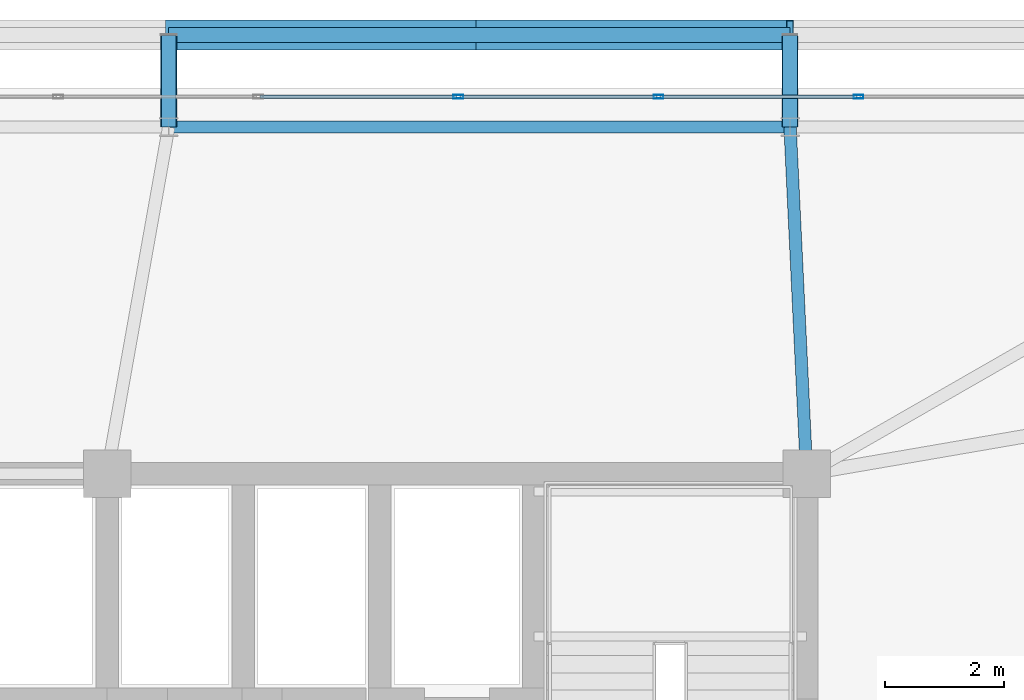
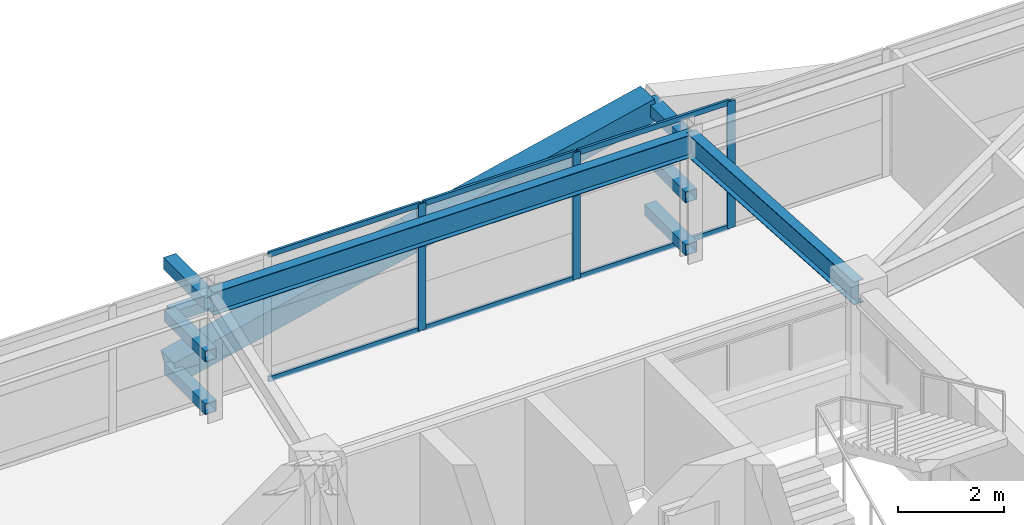
# One storey, part 38 of 58: 18 members, 2 beams, 1 element without a shape of its own.
"""IFC4 building model written with IfcOpenShell, lengths in metres."""

import ifcopenshell
import ifcopenshell.guid

model = None  # the IFC model being written
_history = None  # IfcOwnerHistory: only IFC2X3 demands one
_inside = {}  # id of a spatial element -> (the spatial element, [elements in it])
_under = {}  # id of a project, library or spatial element -> (it, [spatial elements below it])
_declared = {}  # id of a project -> (the project, [libraries it declares])
_typed = {}  # id of a type object -> (the type object, [elements of that type])
_made_of = {}  # id of a material, layer set ... -> (it, [elements and type objects made of it])


def new_model(schema):
    """Start an empty IFC model of exactly this schema.

    Asked for "IFC4X3", IfcOpenShell would pick the latest addendum, in which some entities
    have other attributes; the version numbers below select the first issue.
    IFC2X3 requires an IfcOwnerHistory on every rooted entity: one is made here for all.
    """
    global model, _history
    if schema == "IFC4X3":
        model = ifcopenshell.file(schema_version=(4, 3, 0, 0))
    else:
        model = ifcopenshell.file(schema=schema)
    _inside.clear()
    _under.clear()
    _declared.clear()
    _typed.clear()
    _made_of.clear()
    _history = None
    if model.schema == "IFC2X3":
        org = make("IfcOrganization", Name="unknown")
        user = make(
            "IfcPersonAndOrganization",
            ThePerson=make("IfcPerson", FamilyName="unknown"),
            TheOrganization=org,
        )
        app = make(
            "IfcApplication",
            ApplicationDeveloper=org,
            Version="unknown",
            ApplicationFullName="unknown",
            ApplicationIdentifier="unknown",
        )
        _history = make(
            "IfcOwnerHistory",
            OwningUser=user,
            OwningApplication=app,
            ChangeAction="ADDED",
            CreationDate=0,
        )
    return model


def make(cls, **values):
    """One entity of the class cls with the attributes given. An attribute that is None is left unset."""
    return model.create_entity(
        cls, **{name: value for name, value in values.items() if value is not None}
    )


def rooted(cls, **values):
    """An entity with a GlobalId (a new one), such as an element, a storey or a relation."""
    return make(cls, GlobalId=ifcopenshell.guid.new(), OwnerHistory=_history, **values)


def si_unit(unit_type, name, prefix=None):
    """IfcSIUnit, for example si_unit("LENGTHUNIT", "METRE", prefix="MILLI")."""
    return make("IfcSIUnit", UnitType=unit_type, Prefix=prefix, Name=name)


def assignment(units):
    """IfcUnitAssignment: the units of a project."""
    return None if units is None else make("IfcUnitAssignment", Units=units)


def point(xyz):
    """IfcCartesianPoint."""
    return None if xyz is None else make("IfcCartesianPoint", Coordinates=xyz)


def direction(xyz):
    """IfcDirection."""
    return None if xyz is None else make("IfcDirection", DirectionRatios=xyz)


def frame(location, z_axis=None, x_axis=None):
    """IfcAxis2Placement3D, a coordinate frame: its origin and axes. An axis left out is left unset."""
    return make(
        "IfcAxis2Placement3D",
        Location=point(location),
        Axis=direction(z_axis),
        RefDirection=direction(x_axis),
    )


def frame_2d(location, x_axis=None):
    """IfcAxis2Placement2D, a coordinate frame in the plane: its origin and x axis."""
    return make(
        "IfcAxis2Placement2D", Location=point(location), RefDirection=direction(x_axis)
    )


def origin():
    """The frame at (0, 0, 0) with its axes left unset."""
    return frame((0.0, 0.0, 0.0))


def origin_2d():
    """The frame at (0, 0) in the plane with its x axis left unset."""
    return frame_2d((0.0, 0.0))


def place(relative_to, where):
    """IfcLocalPlacement: puts the frame where relative to a parent placement (None: the world)."""
    return make(
        "IfcLocalPlacement", PlacementRelTo=relative_to, RelativePlacement=where
    )


def context(
    kind, dimensions, precision=None, world=None, true_north=None, identifier=None
):
    """IfcGeometricRepresentationContext, for example the 3D "Model" context."""
    return make(
        "IfcGeometricRepresentationContext",
        ContextIdentifier=identifier,
        ContextType=kind,
        CoordinateSpaceDimension=dimensions,
        Precision=precision,
        WorldCoordinateSystem=world,
        TrueNorth=true_north,
    )


def subcontext(parent, identifier, kind, view, scale=None):
    """IfcGeometricRepresentationSubContext, for example "Body" below "Model"."""
    return make(
        "IfcGeometricRepresentationSubContext",
        ContextIdentifier=identifier,
        ContextType=kind,
        ParentContext=parent,
        TargetScale=scale,
        TargetView=view,
    )


def project(units=None, contexts=None):
    """IfcProject with its units and contexts."""
    return rooted(
        "IfcProject",
        Name="project",
        RepresentationContexts=contexts,
        UnitsInContext=assignment(units),
    )


def spatial(cls, under=None, at=None, **own):
    """A site, building, storey or space (cls), placed at a placement, below another one or the project."""
    s = rooted(cls, ObjectPlacement=at, **own)
    if under is not None:
        _under.setdefault(under.id(), (under, []))[1].append(s)
    return s


def profile(cls, at=None, kind="AREA", **sizes):
    """A parametric profile (cls). Its sizes go by their IFC names, for example OverallWidth=200.0."""
    return make(cls, ProfileType=kind, Position=at, **sizes)


def hollow_rectangle(**sizes):
    """IfcRectangleHollowProfileDef."""
    return profile("IfcRectangleHollowProfileDef", **sizes)


def i_section(**sizes):
    """IfcIShapeProfileDef."""
    return profile("IfcIShapeProfileDef", **sizes)


def extrude(swept, where, along, depth):
    """IfcExtrudedAreaSolid: the profile swept, set in the frame where, extruded along a direction by depth."""
    return make(
        "IfcExtrudedAreaSolid",
        SweptArea=swept,
        Position=where,
        ExtrudedDirection=direction(along),
        Depth=depth,
    )


def shape(context_of_items, identifier, shape_type, items):
    """IfcShapeRepresentation: the items that make up one representation, for example the "Body"."""
    return make(
        "IfcShapeRepresentation",
        ContextOfItems=context_of_items,
        RepresentationIdentifier=identifier,
        RepresentationType=shape_type,
        Items=items,
    )


def source(mapping_origin, context_of_items, identifier, shape_type, items):
    """IfcRepresentationMap: a shape defined once, which mapped items show again and again."""
    return make(
        "IfcRepresentationMap",
        MappingOrigin=mapping_origin,
        MappedRepresentation=shape(context_of_items, identifier, shape_type, items),
    )


def transform(
    local_origin,
    x_axis=None,
    y_axis=None,
    z_axis=None,
    scale=None,
    scale2=None,
    scale3=None,
    uniform=True,
):
    """IfcCartesianTransformationOperator3D, or its non-uniform kind. x_axis, y_axis, z_axis: its Axis1, 2, 3."""
    if uniform:
        return make(
            "IfcCartesianTransformationOperator3D",
            Axis1=direction(x_axis),
            Axis2=direction(y_axis),
            LocalOrigin=point(local_origin),
            Scale=scale,
            Axis3=direction(z_axis),
        )
    return make(
        "IfcCartesianTransformationOperator3DnonUniform",
        Axis1=direction(x_axis),
        Axis2=direction(y_axis),
        LocalOrigin=point(local_origin),
        Scale=scale,
        Axis3=direction(z_axis),
        Scale2=scale2,
        Scale3=scale3,
    )


def mapped(mapping_source, mapping_target):
    """IfcMappedItem: shows the shape of a source again, moved by a transform."""
    return make(
        "IfcMappedItem", MappingSource=mapping_source, MappingTarget=mapping_target
    )


def material(Name=None, Category=None):
    """IfcMaterial."""
    return make("IfcMaterial", Name=Name, Category=Category)


def layer(
    of_material, thickness, ventilated=None, Name=None, Category=None, Priority=None
):
    """IfcMaterialLayer: one layer of a wall or slab, of a material (None: an air gap)."""
    return make(
        "IfcMaterialLayer",
        Material=of_material,
        LayerThickness=thickness,
        IsVentilated=ventilated,
        Name=Name,
        Category=Category,
        Priority=Priority,
    )


def layer_set(layers, Name=None):
    """IfcMaterialLayerSet."""
    return make("IfcMaterialLayerSet", MaterialLayers=layers, LayerSetName=Name)


def material_profile(
    of_material, cross_section, Name=None, Category=None, Priority=None
):
    """IfcMaterialProfile: a cross section and its material."""
    return make(
        "IfcMaterialProfile",
        Name=Name,
        Material=of_material,
        Profile=cross_section,
        Priority=Priority,
        Category=Category,
    )


def profile_set(profiles, Name=None, composite=None):
    """IfcMaterialProfileSet."""
    return make(
        "IfcMaterialProfileSet",
        Name=Name,
        MaterialProfiles=profiles,
        CompositeProfile=composite,
    )


def made_of(thing, what):
    """Note that an element or type object is made of a material, layer set ...; save() writes the relation."""
    if what is not None:
        _made_of.setdefault(what.id(), (what, []))[1].append(thing)
    return thing


def type_object(cls, material=None, **own):
    """A type object (cls), such as IfcWallType, which elements share."""
    return made_of(rooted(cls, **own), material)


def element(
    cls,
    number,
    at=None,
    inside=None,
    cuts=None,
    type_object=None,
    material=None,
    context=None,
    identifier="Body",
    shape_type=None,
    held_by="IfcProductDefinitionShape",
    body=None,
    shapes=None,
    **own,
):
    """One element of the class cls, such as IfcWall. Its Tag is "e" and its number.

    at: its placement. inside: the storey or other place that contains it. cuts: it is an
    opening in that element (IfcRelVoidsElement). A single representation is given by context,
    identifier, shape_type and body (its items); several are given by shapes. held_by: the class
    of the entity that holds the representations. save() writes the other relations.
    """
    e = rooted(cls, Tag="e%d" % number, ObjectPlacement=at, **own)
    if body is not None:
        shapes = [shape(context, identifier, shape_type, body)]
    if shapes is not None:
        e.Representation = make(held_by, Representations=shapes)
    if inside is not None:
        _inside.setdefault(inside.id(), (inside, []))[1].append(e)
    if cuts is not None:
        rooted(
            "IfcRelVoidsElement", RelatingBuildingElement=cuts, RelatedOpeningElement=e
        )
    if type_object is not None:
        _typed.setdefault(type_object.id(), (type_object, []))[1].append(e)
    return made_of(e, material)


def aggregate(whole, parts):
    """IfcRelAggregates: a whole, such as a stair, and the parts it consists of."""
    return rooted("IfcRelAggregates", RelatingObject=whole, RelatedObjects=parts)


def save(model, path):
    """Write the relations noted so far, then the file.

    IfcRelAggregates (storeys below a building ...), IfcRelContainedInSpatialStructure (elements
    in a storey), IfcRelDefinesByType, IfcRelAssociatesMaterial and IfcRelDeclares: one each for
    every whole, place, type object, material and project.
    """
    for whole, parts in _under.values():
        aggregate(whole, parts)
    for where, things in _inside.values():
        rooted(
            "IfcRelContainedInSpatialStructure",
            RelatedElements=things,
            RelatingStructure=where,
        )
    for kind, things in _typed.values():
        rooted("IfcRelDefinesByType", RelatedObjects=things, RelatingType=kind)
    for what, things in _made_of.values():
        rooted("IfcRelAssociatesMaterial", RelatedObjects=things, RelatingMaterial=what)
    for by, libraries in _declared.values():
        rooted("IfcRelDeclares", RelatingContext=by, RelatedDefinitions=libraries)
    model.write(path)


model = new_model("IFC4")

# Units and contexts
model_context = context("Model", 3, precision=1e-05, world=origin(), true_north=direction((0.0, 1.0)))
body_context = subcontext(model_context, "Body", "Model", "MODEL_VIEW")
ifc_project = project(units=[si_unit("LENGTHUNIT", "METRE"), si_unit("AREAUNIT", "SQUARE_METRE"), si_unit("VOLUMEUNIT", "CUBIC_METRE"), si_unit("PLANEANGLEUNIT", "RADIAN"), si_unit("MASSUNIT", "GRAM", prefix="KILO")], contexts=[model_context])

# Site, building, storey
site_placement = place(None, origin())
site = spatial("IfcSite", under=ifc_project, at=site_placement, CompositionType="ELEMENT")
building_placement = place(site_placement, origin())
building = spatial("IfcBuilding", under=site, at=building_placement, Name="Taldren Reach Tower", CompositionType="ELEMENT")
storey_placement = place(building_placement, frame((0.0, 0.0, 51.449951171875)))
storey = spatial("IfcBuildingStorey", under=building, at=storey_placement, Name="L15", CompositionType="ELEMENT", Elevation=51.449951171875)

# Beams
ifc_material_1 = material(Name="Steel Gr 350 (350PLUS)", Category="steel")
ifc_material_profile_1 = material_profile(ifc_material_1, i_section(OverallWidth=0.208984375, OverallDepth=0.528076171875, WebThickness=0.009521484375, FlangeThickness=0.01318359375, at=origin_2d()), Name="530UB82.0")
ifc_profile_set_1 = profile_set([ifc_material_profile_1], Name="Steel Gr 350 (350PLUS)")
beam_type_1 = type_object("IfcBeamType", Name="SP-UB530B", PredefinedType="SPANDREL", material=ifc_profile_set_1)
shared_shape_1 = source(origin(), body_context, "Body", "SweptSolid", [
    extrude(i_section(OverallWidth=0.208984375, OverallDepth=0.528076171875, WebThickness=0.009521484375, FlangeThickness=0.01318359375, at=origin_2d()), origin(), (0.0, 0.0, 1.0), 10.47998046875),
])
beam_1_placement = place(storey_placement, frame((50.719970703125, 37.85009765625, 2.666015625), z_axis=(-1.0, 0.0, 0.0), x_axis=(0.0, -1.0, 0.0)))
element("IfcBeam", 1, at=beam_1_placement, inside=storey, type_object=beam_type_1, Name="Perimeter spandrel B1 N5-N4 L15", PredefinedType="SPANDREL", context=body_context, shape_type="MappedRepresentation", body=[
    mapped(shared_shape_1, transform((0.0, 0.0, 0.0), scale=1.0)),
])
ifc_material_profile_2 = material_profile(ifc_material_1, i_section(OverallWidth=0.208984375, OverallDepth=0.532958984375, WebThickness=0.01025390625, FlangeThickness=0.015625, at=origin_2d()), Name="530UB92.4")
ifc_profile_set_2 = profile_set([ifc_material_profile_2], Name="Steel Gr 350 (350PLUS)")
beam_type_2 = type_object("IfcBeamType", Name="BM-UB530A", PredefinedType="BEAM", material=ifc_profile_set_2)
shared_shape_2 = source(origin(), body_context, "Body", "SweptSolid", [
    extrude(i_section(OverallWidth=0.208984375, OverallDepth=0.532958984375, WebThickness=0.01025390625, FlangeThickness=0.015625, at=origin_2d()), origin(), (0.0, 0.0, 1.0), 5.856689453125),
])
beam_2_placement = place(storey_placement, frame((51.0, 32.0, 2.66357421875), z_axis=(-0.047812711672, 0.998856318297, 0.0), x_axis=(-0.998856318297, -0.047812711672, 0.0)))
element("IfcBeam", 2, at=beam_2_placement, inside=storey, type_object=beam_type_2, Name="Primary floor girder B1-N5 L15", PredefinedType="BEAM", context=body_context, shape_type="MappedRepresentation", body=[
    mapped(shared_shape_2, transform((0.0, 0.0, 0.0), scale=1.0)),
])

# Members
ifc_material_2 = material(Name="Steel Gr 450 (C450L0)", Category="steel")
ifc_material_profile_3 = material_profile(ifc_material_2, hollow_rectangle(XDim=0.27490234375, YDim=0.27490234375, WallThickness=0.00927734375, at=origin_2d()), Name="275x275x9.3SHS")
ifc_profile_set_3 = profile_set([ifc_material_profile_3], Name="Steel Gr 450 (C450L0)")
member_type_1 = type_object("IfcMemberType", Name="MB-TIE273", PredefinedType="STRUT", material=ifc_profile_set_3)
shared_shape_3 = source(origin(), body_context, "Body", "SweptSolid", [
    extrude(hollow_rectangle(XDim=0.27490234375, YDim=0.27490234375, WallThickness=0.00927734375, at=origin_2d()), origin(), (0.0, 0.0, 1.0), 1.5498046875),
])
for number, where, z_axis, x_axis, name in (
    (3, (40.239990234375, 37.85009765625, 2.650146484375), (0.0, 1.0, 0.0), (-1.0, 0.0, 0.0), "Exoskeleton diaphragm tie strut B1-N4 L15"),
    (4, (50.719970703125, 37.85009765625, 2.650146484375), (0.0, 1.0, 0.0), (-1.0, 0.0, 0.0), "Exoskeleton diaphragm tie strut B1-N5 L15"),
):
    element("IfcMember", number, at=place(storey_placement, frame(where, z_axis=z_axis, x_axis=x_axis)), inside=storey, type_object=member_type_1, Name=name, PredefinedType="STRUT", context=body_context, shape_type="MappedRepresentation", body=[
        mapped(shared_shape_3, transform((0.0, 0.0, 0.0), scale=1.0)),
    ])
ifc_material_profile_4 = material_profile(ifc_material_2, hollow_rectangle(XDim=0.510009765625, YDim=0.510009765625, WallThickness=0.02001953125, at=origin_2d()), Name="510x510x20.0SHS")
ifc_profile_set_4 = profile_set([ifc_material_profile_4], Name="Steel Gr 450 (C450L0)")
member_type_2 = type_object("IfcMemberType", Name="MB-EXO508", PredefinedType="BRACE", material=ifc_profile_set_4)
shared_shape_4 = source(origin(), body_context, "Body", "SweptSolid", [
    extrude(hollow_rectangle(XDim=0.510009765625, YDim=0.510009765625, WallThickness=0.02001953125, at=origin_2d()), origin(), (0.0, 0.0, 1.0), 5.37890625),
])
for number, where, z_axis, x_axis, name in (
    (5, (40.239990234375, 39.39990234375, 0.219970703125), (0.97415197996, 0.0, 0.225893603143), (0.0, 1.0, 0.0), "Exoskeleton Diagrid Brace B1-N4 L15"),
    (6, (45.47998046875, 39.39990234375, 1.43505859375), (0.97415197996, 0.0, 0.225893603143), (0.0, 1.0, 0.0), "Exoskeleton Diagrid Brace B1-N4 L15"),
):
    element("IfcMember", number, at=place(storey_placement, frame(where, z_axis=z_axis, x_axis=x_axis)), inside=storey, type_object=member_type_2, Name=name, PredefinedType="BRACE", context=body_context, shape_type="MappedRepresentation", body=[
        mapped(shared_shape_4, transform((0.0, 0.0, 0.0), scale=1.0)),
    ])
ifc_material_3 = material(Name="Steel Gr 350 (C350L0)", Category="steel")
ifc_material_profile_5 = material_profile(ifc_material_3, hollow_rectangle(XDim=0.25, YDim=0.25, WallThickness=0.010009765625, at=origin_2d()), Name="250x250x10.0SHS")
ifc_profile_set_5 = profile_set([ifc_material_profile_5], Name="Steel Gr 350 (C350L0)")
member_type_3 = type_object("IfcMemberType", Name="MB-POST250", PredefinedType="POST", material=ifc_profile_set_5)
shared_shape_5 = source(origin(), body_context, "Body", "SweptSolid", [
    extrude(hollow_rectangle(XDim=0.25, YDim=0.25, WallThickness=0.010009765625, at=origin_2d()), origin(), (0.0, 0.0, 1.0), 10.47998046875),
])
member_1_placement = place(storey_placement, frame((40.239990234375, 39.39990234375, 1.43505859375), z_axis=(1.0, 0.0, 0.0), x_axis=(0.0, 1.0, 0.0)))
element("IfcMember", 7, at=member_1_placement, inside=storey, type_object=member_type_3, Name="Exoskeleton mid-height ring chord B1-N4 L15", PredefinedType="POST", context=body_context, shape_type="MappedRepresentation", body=[
    mapped(shared_shape_5, transform((0.0, 0.0, 0.0), scale=1.0)),
])
shared_shape_6 = source(origin(), body_context, "Body", "SweptSolid", [
    extrude(hollow_rectangle(XDim=0.25, YDim=0.25, WallThickness=0.010009765625, at=origin_2d()), origin(), (0.0, 0.0, 1.0), 1.5498046875),
])
for number, where, z_axis, x_axis, name in (
    (8, (40.239990234375, 37.85009765625, 0.219970703125), (0.0, 1.0, 0.0), (-1.0, 0.0, 0.0), "Exoskeleton base diaphragm tie strut B1-N4 L15"),
    (9, (50.719970703125, 37.85009765625, 0.219970703125), (0.0, 1.0, 0.0), (-1.0, 0.0, 0.0), "Exoskeleton base diaphragm tie strut B1-N5 L15"),
    (10, (40.239990234375, 37.85009765625, 1.43505859375), (0.0, 1.0, 0.0), (-1.0, 0.0, 0.0), "Exoskeleton mid-tier diaphragm tie B1-N4 L15"),
    (11, (50.719970703125, 37.85009765625, 1.43505859375), (0.0, 1.0, 0.0), (-1.0, 0.0, 0.0), "Exoskeleton mid-tier diaphragm tie B1-N5 L15"),
):
    element("IfcMember", number, at=place(storey_placement, frame(where, z_axis=z_axis, x_axis=x_axis)), inside=storey, type_object=member_type_3, Name=name, PredefinedType="POST", context=body_context, shape_type="MappedRepresentation", body=[
        mapped(shared_shape_6, transform((0.0, 0.0, 0.0), scale=1.0)),
    ])

# Curtain wall, members
ifc_material_4 = material(Name="Aluminium and Low-E Glass Unitised System", Category="aluminium")
ifc_layer = layer(ifc_material_4, 0.159912109375)
ifc_layer_set = layer_set([ifc_layer], Name="Aluminium and Low-E Glass Unitised System")
curtain_wall_type = type_object("IfcCurtainWallType", Name="CW-SYS-2", PredefinedType="NOTDEFINED", material=ifc_layer_set)
curtain_wall_placement = place(storey_placement, origin())
curtain_wall = element("IfcCurtainWall", 12, at=curtain_wall_placement, inside=storey, type_object=curtain_wall_type, Name="Unitised curtain wall CW-L15-N", PredefinedType="NOTDEFINED")
ifc_material_5 = material(Name="Anodised Aluminium 6063-T6", Category="aluminium")
ifc_material_profile_6 = material_profile(ifc_material_5, hollow_rectangle(XDim=0.06494140625, YDim=0.1650390625, WallThickness=0.00390625, at=origin_2d()), Name="ALU-165x65x4RHS")
ifc_profile_set_6 = profile_set([ifc_material_profile_6], Name="Anodised Aluminium 6063-T6")
member_type_4 = type_object("IfcMemberType", Name="CW-MUL-165", PredefinedType="MULLION", material=ifc_profile_set_6)
shared_shape_7 = source(origin(), body_context, "Body", "SweptSolid", [
    extrude(hollow_rectangle(XDim=0.06494140625, YDim=0.1650390625, WallThickness=0.00390625, at=origin_2d()), origin(), (0.0, 0.0, 1.0), 2.929931640625),
])
member_2_placement = place(storey_placement, frame((51.875, 38.360107421875, 0.0), z_axis=(0.0, 0.0, 1.0), x_axis=(0.0, -1.0, 0.0)))
member_2 = element("IfcMember", 13, at=member_2_placement, type_object=member_type_4, Name="CW-2 mullion 4", PredefinedType="MULLION", context=body_context, shape_type="MappedRepresentation", body=[
    mapped(shared_shape_7, transform((0.0, 0.0, 0.0), scale=1.0)),
])
member_3_placement = place(storey_placement, frame((48.5, 38.360107421875, 0.0), z_axis=(0.0, 0.0, 1.0), x_axis=(0.0, -1.0, 0.0)))
member_3 = element("IfcMember", 14, at=member_3_placement, type_object=member_type_4, Name="CW-2 mullion 5", PredefinedType="MULLION", context=body_context, shape_type="MappedRepresentation", body=[
    mapped(shared_shape_7, transform((0.0, 0.0, 0.0), scale=1.0)),
])
member_4_placement = place(storey_placement, frame((45.125, 38.360107421875, 0.0), z_axis=(0.0, 0.0, 1.0), x_axis=(0.0, -1.0, 0.0)))
member_4 = element("IfcMember", 15, at=member_4_placement, type_object=member_type_4, Name="CW-2 mullion 6", PredefinedType="MULLION", context=body_context, shape_type="MappedRepresentation", body=[
    mapped(shared_shape_7, transform((0.0, 0.0, 0.0), scale=1.0)),
])
ifc_material_profile_7 = material_profile(ifc_material_5, hollow_rectangle(XDim=0.054931640625, YDim=0.1201171875, WallThickness=0.0029296875, at=origin_2d()), Name="ALU-120x55x3RHS")
ifc_profile_set_7 = profile_set([ifc_material_profile_7], Name="Anodised Aluminium 6063-T6")
member_type_5 = type_object("IfcMemberType", Name="CW-TRN-135", PredefinedType="USERDEFINED", material=ifc_profile_set_7)
shared_shape_8 = source(origin(), body_context, "Body", "SweptSolid", [
    extrude(hollow_rectangle(XDim=0.054931640625, YDim=0.1201171875, WallThickness=0.0029296875, at=origin_2d()), origin(), (0.0, 0.0, 1.0), 3.31005859375),
])
member_5_placement = place(storey_placement, frame((51.842529296875, 38.360107421875, 0.027587890625), z_axis=(-1.0, 0.0, 0.0), x_axis=(0.0, -1.0, 0.0)))
member_5 = element("IfcMember", 16, at=member_5_placement, type_object=member_type_5, Name="CW-2 transom 4.1", ObjectType="TRANSOM", PredefinedType="USERDEFINED", context=body_context, shape_type="MappedRepresentation", body=[
    mapped(shared_shape_8, transform((0.0, 0.0, 0.0), scale=1.0)),
])
member_6_placement = place(storey_placement, frame((51.842529296875, 38.360107421875, 2.902587890625), z_axis=(-1.0, 0.0, 0.0), x_axis=(0.0, -1.0, 0.0)))
member_6 = element("IfcMember", 17, at=member_6_placement, type_object=member_type_5, Name="CW-2 transom 4.2", ObjectType="TRANSOM", PredefinedType="USERDEFINED", context=body_context, shape_type="MappedRepresentation", body=[
    mapped(shared_shape_8, transform((0.0, 0.0, 0.0), scale=1.0)),
])
member_7_placement = place(storey_placement, frame((48.467529296875, 38.360107421875, 0.027587890625), z_axis=(-1.0, 0.0, 0.0), x_axis=(0.0, -1.0, 0.0)))
member_7 = element("IfcMember", 18, at=member_7_placement, type_object=member_type_5, Name="CW-2 transom 5.1", ObjectType="TRANSOM", PredefinedType="USERDEFINED", context=body_context, shape_type="MappedRepresentation", body=[
    mapped(shared_shape_8, transform((0.0, 0.0, 0.0), scale=1.0)),
])
member_8_placement = place(storey_placement, frame((48.467529296875, 38.360107421875, 2.902587890625), z_axis=(-1.0, 0.0, 0.0), x_axis=(0.0, -1.0, 0.0)))
member_8 = element("IfcMember", 19, at=member_8_placement, type_object=member_type_5, Name="CW-2 transom 5.2", ObjectType="TRANSOM", PredefinedType="USERDEFINED", context=body_context, shape_type="MappedRepresentation", body=[
    mapped(shared_shape_8, transform((0.0, 0.0, 0.0), scale=1.0)),
])
member_9_placement = place(storey_placement, frame((45.092529296875, 38.360107421875, 0.027587890625), z_axis=(-1.0, 0.0, 0.0), x_axis=(0.0, -1.0, 0.0)))
member_9 = element("IfcMember", 20, at=member_9_placement, type_object=member_type_5, Name="CW-2 transom 6.1", ObjectType="TRANSOM", PredefinedType="USERDEFINED", context=body_context, shape_type="MappedRepresentation", body=[
    mapped(shared_shape_8, transform((0.0, 0.0, 0.0), scale=1.0)),
])
member_10_placement = place(storey_placement, frame((45.092529296875, 38.360107421875, 2.902587890625), z_axis=(-1.0, 0.0, 0.0), x_axis=(0.0, -1.0, 0.0)))
member_10 = element("IfcMember", 21, at=member_10_placement, type_object=member_type_5, Name="CW-2 transom 6.2", ObjectType="TRANSOM", PredefinedType="USERDEFINED", context=body_context, shape_type="MappedRepresentation", body=[
    mapped(shared_shape_8, transform((0.0, 0.0, 0.0), scale=1.0)),
])
aggregate(curtain_wall, [member_2, member_3, member_4, member_5, member_6, member_7, member_8, member_9, member_10])

save(model, "model.ifc")
